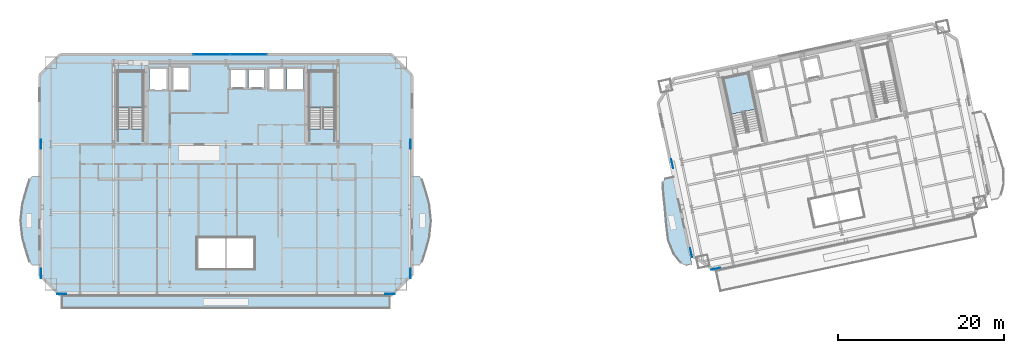
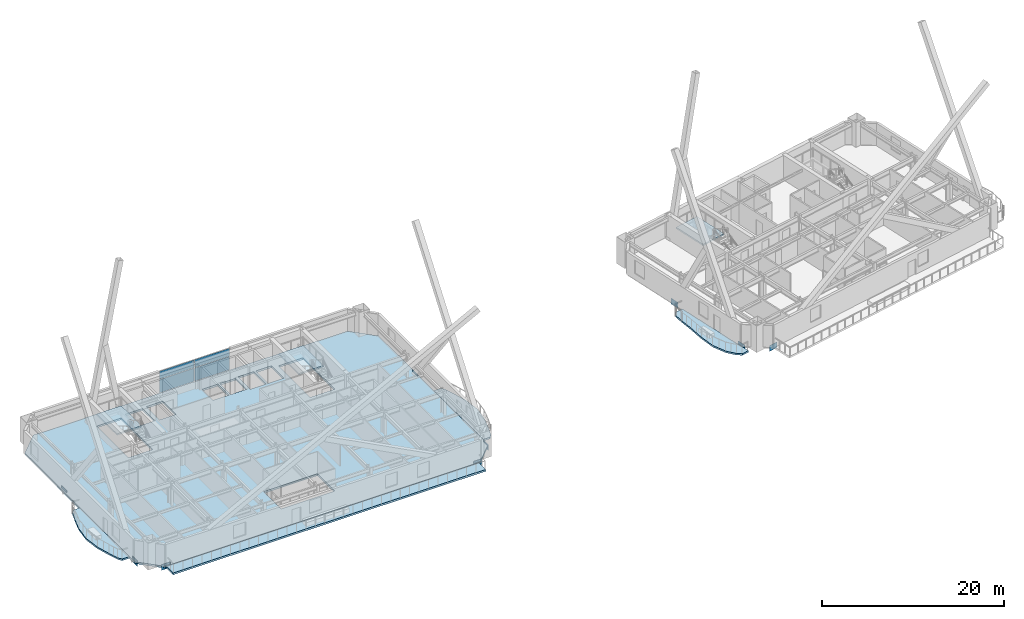
# One storey, part 9 of 22: 13 plates, 8 slabs, 4 elements without a shape of their own.
"""IFC4 building model written with IfcOpenShell, lengths in metres."""

from ifc_helpers import new_model, si_unit, direction, frame, origin, origin_2d, place, context, subcontext, project, spatial, polyline, rectangle, outline, extrude, material, layer, layer_set, type_object, element, aggregate, save


model = new_model("IFC4")

# Units and contexts
model_context = context("Model", 3, precision=1e-05, world=origin(), true_north=direction((0.0, 1.0)))
body_context = subcontext(model_context, "Body", "Model", "MODEL_VIEW")
ifc_project = project(units=[si_unit("LENGTHUNIT", "METRE"), si_unit("AREAUNIT", "SQUARE_METRE"), si_unit("VOLUMEUNIT", "CUBIC_METRE"), si_unit("PLANEANGLEUNIT", "RADIAN"), si_unit("MASSUNIT", "GRAM", prefix="KILO")], contexts=[model_context])

# Site, building, storey
site_placement = place(None, origin())
site = spatial("IfcSite", under=ifc_project, at=site_placement, CompositionType="ELEMENT")
building_placement = place(site_placement, origin())
building = spatial("IfcBuilding", under=site, at=building_placement, Name="Haevon Station Towers", CompositionType="ELEMENT")
storey_placement = place(building_placement, frame((0.0, 0.0, 113.10009765625)))
storey = spatial("IfcBuildingStorey", under=building, at=storey_placement, Name="L30", CompositionType="ELEMENT", Elevation=113.10009765625)

# Curtain wall, plates
ifc_material_1 = material(Name="Anodised aluminium and Low-E double glazing", Category="aluminium")
ifc_layer_1 = layer(ifc_material_1, 0.179931640625)
ifc_layer_set_1 = layer_set([ifc_layer_1], Name="Anodised aluminium and Low-E double glazing")
curtain_wall_type = type_object("IfcCurtainWallType", Name="CW-SYS4", PredefinedType="NOTDEFINED", material=ifc_layer_set_1)
curtain_wall_placement = place(storey_placement, origin())
curtain_wall = element("IfcCurtainWall", 1, at=curtain_wall_placement, inside=storey, type_object=curtain_wall_type, Name="L30 Curtain Wall CW-T1-L30-N", PredefinedType="NOTDEFINED")
ifc_material_2 = material(Name="Low-E double glazing", Category="glass")
ifc_layer_2 = layer(ifc_material_2, 0.028076171875)
ifc_layer_set_2 = layer_set([ifc_layer_2], Name="Low-E double glazing")
plate_type_1 = type_object("IfcPlateType", Name="CWP-GLZ28", PredefinedType="CURTAIN_PANEL", material=ifc_layer_set_2)
plate_1_placement = place(storey_placement, frame((35.766357421875, 49.0, 0.059814453125), z_axis=(0.0, 0.0, 1.0), x_axis=(1.0, 0.0, 0.0)))
plate_1 = element("IfcPlate", 2, at=plate_1_placement, type_object=plate_type_1, Name="CW-SYS4 panel 1.1", PredefinedType="CURTAIN_PANEL", context=body_context, shape_type="SweptSolid", body=[
    extrude(rectangle(XDim=4.402587890625, YDim=0.028076171875, at=origin_2d()), origin(), (0.0, 0.0, 1.0), 1.77001953125),
])
plate_2_placement = place(storey_placement, frame((35.766357421875, 49.0, 1.8896484375), z_axis=(0.0, 0.0, 1.0), x_axis=(1.0, 0.0, 0.0)))
plate_2 = element("IfcPlate", 3, at=plate_2_placement, type_object=plate_type_1, Name="CW-SYS4 panel 1.2", PredefinedType="CURTAIN_PANEL", context=body_context, shape_type="SweptSolid", body=[
    extrude(rectangle(XDim=4.402587890625, YDim=0.028076171875, at=origin_2d()), origin(), (0.0, 0.0, 1.0), 1.050048828125),
])
plate_3_placement = place(storey_placement, frame((40.233642578125, 49.0, 0.059814453125), z_axis=(0.0, 0.0, 1.0), x_axis=(1.0, 0.0, 0.0)))
plate_3 = element("IfcPlate", 4, at=plate_3_placement, type_object=plate_type_1, Name="CW-SYS4 panel 2.1", PredefinedType="CURTAIN_PANEL", context=body_context, shape_type="SweptSolid", body=[
    extrude(rectangle(XDim=4.402587890625, YDim=0.028076171875, at=origin_2d()), origin(), (0.0, 0.0, 1.0), 1.77001953125),
])
plate_4_placement = place(storey_placement, frame((40.233642578125, 49.0, 1.8896484375), z_axis=(0.0, 0.0, 1.0), x_axis=(1.0, 0.0, 0.0)))
plate_4 = element("IfcPlate", 5, at=plate_4_placement, type_object=plate_type_1, Name="CW-SYS4 panel 2.2", PredefinedType="CURTAIN_PANEL", context=body_context, shape_type="SweptSolid", body=[
    extrude(rectangle(XDim=4.402587890625, YDim=0.028076171875, at=origin_2d()), origin(), (0.0, 0.0, 1.0), 1.050048828125),
])
aggregate(curtain_wall, [plate_1, plate_2, plate_3, plate_4])

# Plates
ifc_material_3 = material(Name="PL-SPL1", Category="steel")
ifc_layer_3 = layer(ifc_material_3, 0.031982421875)
ifc_layer_set_3 = layer_set([ifc_layer_3], Name="PL-SPL1")
plate_type_2 = type_object("IfcPlateType", Name="PL-SPL1", PredefinedType="USERDEFINED", material=ifc_layer_set_3)
for number, where, z_axis, x_axis, name in (
    (6, (17.75, 20.179931640625, -0.4951171875), (0.0, 0.0, 1.0), (1.0, 0.0, 0.0), "PL-T1SPL-T04-S-1"),
    (7, (57.25, 20.179931640625, -0.4951171875), (0.0, 0.0, 1.0), (1.0, 0.0, 0.0), "PL-T1SPL-T04-S-2"),
    (8, (15.280029296875, 22.64990234375, -0.4951171875), (0.0, 0.0, 1.0), (0.0, 1.0, 0.0), "PL-T1SPL-T04-W-1"),
    (9, (15.280029296875, 38.199951171875, -0.4951171875), (0.0, 0.0, 1.0), (0.0, 1.0, 0.0), "PL-T1SPL-T04-W-2"),
    (10, (59.719970703125, 22.64990234375, -0.4951171875), (0.0, 0.0, 1.0), (0.0, 1.0, 0.0), "PL-T1SPL-T04-E-1"),
    (11, (59.719970703125, 38.199951171875, -0.4951171875), (0.0, 0.0, 1.0), (0.0, 1.0, 0.0), "PL-T1SPL-T04-E-2"),
    (12, (96.4072265625, 23.22412109375, -0.4951171875), (0.0, 0.0, 1.0), (0.978147600734, 0.207911690818, 0.0), "PL-T2SPL-T04-S-1"),
    (13, (93.477783203125, 25.126708984375, -0.4951171875), (0.0, 0.0, 1.0), (-0.207911690818, 0.978147600734, 0.0), "PL-T2SPL-T04-W-1"),
    (14, (91.201171875, 35.83740234375, -0.4951171875), (0.0, 0.0, 1.0), (-0.207911690818, 0.978147600734, 0.0), "PL-T2SPL-T04-W-2"),
):
    element("IfcPlate", number, at=place(storey_placement, frame(where, z_axis=z_axis, x_axis=x_axis)), inside=storey, type_object=plate_type_2, Name=name, ObjectType="SPLICE_PLATE", PredefinedType="USERDEFINED", context=body_context, shape_type="SweptSolid", body=[
        extrude(rectangle(XDim=1.10009765625, YDim=0.031982421875, at=origin_2d()), origin(), (0.0, 0.0, 1.0), 0.75),
    ])

# Slabs
ifc_material_4 = material(Name="Concrete C40/50", Category="concrete")
ifc_layer_4 = layer(ifc_material_4, 0.219970703125)
ifc_layer_set_4 = layer_set([ifc_layer_4], Name="Concrete C40/50")
slab_type_1 = type_object("IfcSlabType", Name="SL-BALC220", PredefinedType="FLOOR", material=ifc_layer_set_4)
slab_1_placement = place(storey_placement, frame((0.0, 0.0, -0.22021484375)))
element("IfcSlab", 15, at=slab_1_placement, inside=storey, type_object=slab_type_1, Name="Tower 1 L30 West SCALLOPED BALCONY", PredefinedType="FLOOR", context=body_context, shape_type="SweptSolid", body=[
    extrude(outline(polyline([(15.094970703125, 34.39990234375), (14.212890625, 34.39990234375), (13.8974609375, 33.989013671875), (13.500732421875, 32.818359375), (12.994873046875, 31.06640625), (12.7412109375, 29.0), (12.994873046875, 26.93359375), (13.500732421875, 25.181640625), (13.8974609375, 24.010986328125), (14.212890625, 23.60009765625), (15.094970703125, 23.60009765625), (15.094970703125, 34.39990234375)])), origin(), (0.0, 0.0, 1.0), 0.22021484375),
])
slab_2_placement = place(storey_placement, frame((0.0, 0.0, -0.22021484375)))
element("IfcSlab", 16, at=slab_2_placement, inside=storey, type_object=slab_type_1, Name="Tower 1 L30 East SCALLOPED BALCONY", PredefinedType="FLOOR", context=body_context, shape_type="SweptSolid", body=[
    extrude(outline(polyline([(59.905029296875, 23.60009765625), (60.787109375, 23.60009765625), (61.1025390625, 24.010986328125), (61.499267578125, 25.181640625), (62.005126953125, 26.93359375), (62.2587890625, 29.0), (62.005126953125, 31.06640625), (61.499267578125, 32.818359375), (61.1025390625, 33.989013671875), (60.787109375, 34.39990234375), (59.905029296875, 34.39990234375), (59.905029296875, 23.60009765625)])), origin(), (0.0, 0.0, 1.0), 0.22021484375),
])
slab_3_placement = place(storey_placement, frame((0.0, 0.0, -0.22021484375)))
element("IfcSlab", 17, at=slab_3_placement, inside=storey, type_object=slab_type_1, Name="Tower 2 L30 West SCALLOPED BALCONY", PredefinedType="FLOOR", context=body_context, shape_type="SweptSolid", body=[
    extrude(outline(polyline([(91.33203125, 34.33154296875), (90.364990234375, 34.126220703125), (90.037841796875, 33.63623046875), (90.101318359375, 32.453125), (90.28076171875, 30.7001953125), (90.400634765625, 28.613037109375), (90.70166015625, 26.564453125), (91.397705078125, 24.92138671875), (92.234375, 23.90234375), (92.74609375, 23.5908203125), (93.577392578125, 23.767578125), (91.33203125, 34.33154296875)])), origin(), (0.0, 0.0, 1.0), 0.22021484375),
])

# Stair, slab
stair_type = type_object("IfcStairType", Name="STR-DL1450", PredefinedType="USERDEFINED", material=ifc_material_4)
stair_1_placement = place(storey_placement, origin())
stair_1 = element("IfcStair", 18, at=stair_1_placement, inside=storey, type_object=stair_type, Name="L30 Escape Stair ST1", ObjectType="TWO_RETURN_STAIR", PredefinedType="USERDEFINED")
ifc_layer_5 = layer(ifc_material_4, 0.199951171875)
ifc_layer_set_5 = layer_set([ifc_layer_5], Name="Concrete C40/50")
slab_type_2 = type_object("IfcSlabType", Name="SL-LND200", PredefinedType="LANDING", material=ifc_layer_set_5)
slab_4_placement = place(storey_placement, frame((0.0, 0.0, 1.449951171875)))
slab_4 = element("IfcSlab", 19, at=slab_4_placement, type_object=slab_type_2, Name="L30 ST1 Half Landing 1", PredefinedType="LANDING", context=body_context, shape_type="SweptSolid", body=[
    extrude(outline(polyline([(27.580078125, 42.56396484375), (27.580078125, 47.0), (24.47998046875, 47.0), (24.47998046875, 42.56396484375), (27.580078125, 42.56396484375)])), origin(), (0.0, 0.0, 1.0), 0.199951171875),
])
aggregate(stair_1, [slab_4])

stair_2_placement = place(storey_placement, origin())
stair_2 = element("IfcStair", 20, at=stair_2_placement, inside=storey, type_object=stair_type, Name="L30 Escape Stair ST2", ObjectType="TWO_RETURN_STAIR", PredefinedType="USERDEFINED")
slab_5_placement = place(storey_placement, frame((0.0, 0.0, 1.449951171875)))
slab_5 = element("IfcSlab", 21, at=slab_5_placement, type_object=slab_type_2, Name="L30 ST2 Half Landing 1", PredefinedType="LANDING", context=body_context, shape_type="SweptSolid", body=[
    extrude(outline(polyline([(50.6201171875, 42.56396484375), (50.6201171875, 47.0), (47.52001953125, 47.0), (47.52001953125, 42.56396484375), (50.6201171875, 42.56396484375)])), origin(), (0.0, 0.0, 1.0), 0.199951171875),
])
aggregate(stair_2, [slab_5])

stair_3_placement = place(storey_placement, origin())
stair_3 = element("IfcStair", 22, at=stair_3_placement, inside=storey, type_object=stair_type, Name="L30 Escape Stair ST3", ObjectType="TWO_RETURN_STAIR", PredefinedType="USERDEFINED")
slab_6_placement = place(storey_placement, frame((0.0, 0.0, 1.449951171875)))
slab_6 = element("IfcSlab", 23, at=slab_6_placement, type_object=slab_type_2, Name="L30 ST3 Half Landing 1", PredefinedType="LANDING", context=body_context, shape_type="SweptSolid", body=[
    extrude(outline(polyline([(101.2880859375, 42.44287109375), (100.36572265625, 46.781982421875), (97.33349609375, 46.137451171875), (98.255859375, 41.79833984375), (101.2880859375, 42.44287109375)])), origin(), (0.0, 0.0, 1.0), 0.199951171875),
])
aggregate(stair_3, [slab_6])

# Slabs
ifc_layer_6 = layer(ifc_material_4, 0.25)
ifc_layer_set_6 = layer_set([ifc_layer_6], Name="Concrete C40/50")
slab_type_3 = type_object("IfcSlabType", Name="SL-TERR250", PredefinedType="FLOOR", material=ifc_layer_set_6)
slab_7_placement = place(storey_placement, frame((0.0, 0.0, -0.25)))
element("IfcSlab", 24, at=slab_7_placement, inside=storey, type_object=slab_type_3, Name="Tower 1 L30 Sky Garden Terrace", PredefinedType="FLOOR", context=body_context, shape_type="SweptSolid", body=[
    extrude(outline(polyline([(17.699951171875, 18.5), (57.300048828125, 18.5), (57.300048828125, 19.9951171875), (17.699951171875, 19.9951171875), (17.699951171875, 18.5)])), origin(), (0.0, 0.0, 1.0), 0.25),
])
ifc_layer_7 = layer(ifc_material_4, 0.25)
ifc_layer_set_7 = layer_set([ifc_layer_7], Name="Concrete C40/50")
slab_type_4 = type_object("IfcSlabType", Name="SL-TW250", PredefinedType="FLOOR", material=ifc_layer_set_7)
slab_8_placement = place(storey_placement, frame((0.0, 0.0, -0.25)))
element("IfcSlab", 25, at=slab_8_placement, inside=storey, type_object=slab_type_4, Name="SL-T1-L30", PredefinedType="FLOOR", context=body_context, shape_type="SweptSolid", body=[
    extrude(outline(polyline([(17.60009765625, 20.0), (57.39990234375, 20.0), (59.89990234375, 22.5), (59.89990234375, 46.5), (57.39990234375, 49.0), (17.60009765625, 49.0), (15.10009765625, 46.5), (15.10009765625, 22.5), (17.60009765625, 20.0)]), holes=[polyline([(27.580078125, 40.055908203125), (27.580078125, 47.0), (24.47998046875, 47.0), (24.47998046875, 40.055908203125), (27.580078125, 40.055908203125)]), polyline([(50.6201171875, 40.055908203125), (50.6201171875, 47.0), (47.52001953125, 47.0), (47.52001953125, 40.055908203125), (50.6201171875, 40.055908203125)]), polyline([(28.300048828125, 44.699951171875), (30.5, 44.699951171875), (30.5, 47.39990234375), (28.300048828125, 47.39990234375), (28.300048828125, 44.699951171875)]), polyline([(31.050048828125, 44.60009765625), (33.14990234375, 44.60009765625), (33.14990234375, 47.5), (31.050048828125, 47.5), (31.050048828125, 44.60009765625)]), polyline([(38.0, 44.89990234375), (40.0, 44.89990234375), (40.0, 47.300048828125), (38.0, 47.300048828125), (38.0, 44.89990234375)]), polyline([(40.25, 44.89990234375), (42.25, 44.89990234375), (42.25, 47.300048828125), (40.25, 47.300048828125), (40.25, 44.89990234375)]), polyline([(42.60009765625, 44.699951171875), (44.60009765625, 44.699951171875), (44.60009765625, 47.39990234375), (42.60009765625, 47.39990234375), (42.60009765625, 44.699951171875)]), polyline([(44.85009765625, 44.699951171875), (46.85009765625, 44.699951171875), (46.85009765625, 47.39990234375), (44.85009765625, 47.39990234375), (44.85009765625, 44.699951171875)]), polyline([(34.10009765625, 23.199951171875), (40.89990234375, 23.199951171875), (40.89990234375, 27.0), (34.10009765625, 27.0), (34.10009765625, 23.199951171875)])]), origin(), (0.0, 0.0, 1.0), 0.25),
])

save(model, "model.ifc")
